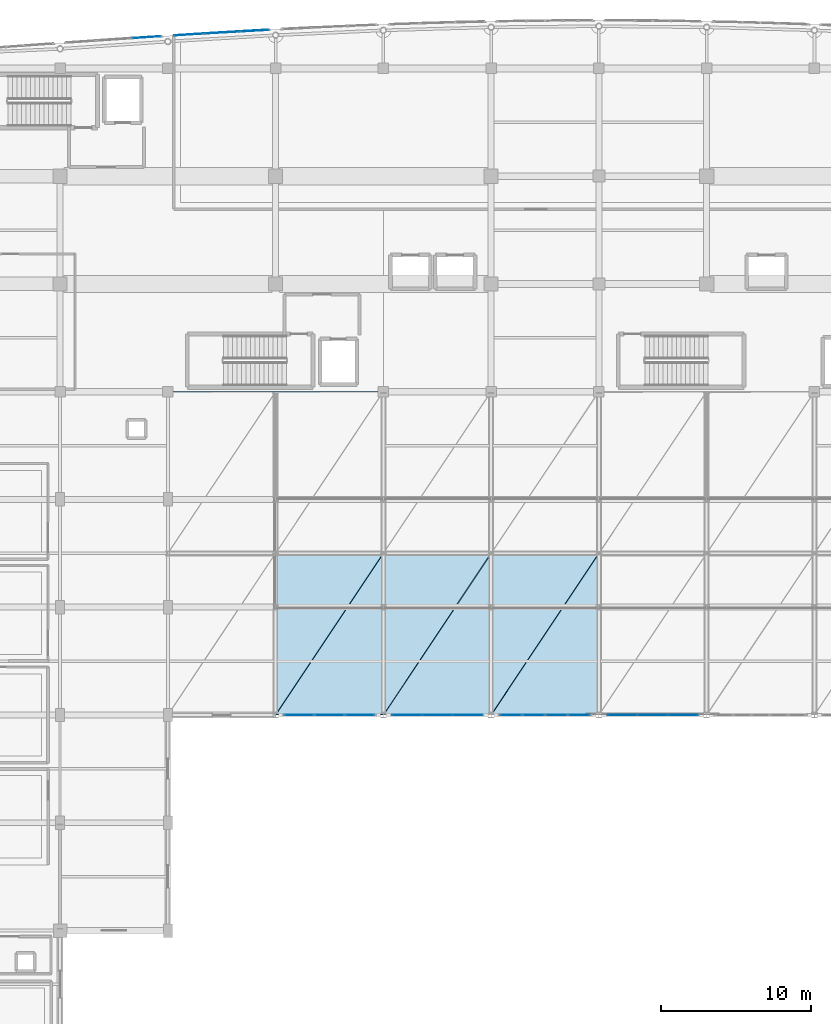
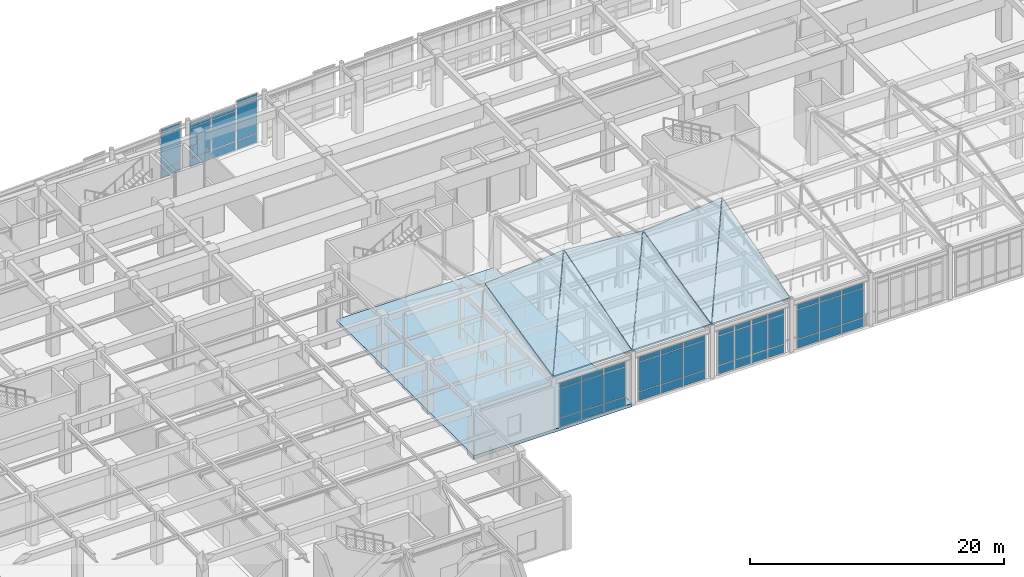
# One storey, part 73 of 117: 51 plates, 7 slabs, 8 elements without a shape of their own.
"""IFC4 building model written with IfcOpenShell, lengths in metres."""

from ifc_helpers import new_model, si_unit, direction, frame, origin, origin_2d, place, context, subcontext, project, spatial, polyline, rectangle, outline, extrude, material, layer, layer_set, type_object, element, aggregate, save


model = new_model("IFC4")

# Units and contexts
model_context = context("Model", 3, precision=1e-05, world=origin(), true_north=direction((0.0, 1.0)))
body_context = subcontext(model_context, "Body", "Model", "MODEL_VIEW")
ifc_project = project(units=[si_unit("LENGTHUNIT", "METRE"), si_unit("AREAUNIT", "SQUARE_METRE"), si_unit("VOLUMEUNIT", "CUBIC_METRE"), si_unit("PLANEANGLEUNIT", "RADIAN"), si_unit("MASSUNIT", "GRAM", prefix="KILO")], contexts=[model_context])

# Site, building, storey
site_placement = place(None, origin())
site = spatial("IfcSite", under=ifc_project, at=site_placement, CompositionType="ELEMENT")
building_placement = place(site_placement, origin())
building = spatial("IfcBuilding", under=site, at=building_placement, Name="Carrowvane Square Congress Hotel", CompositionType="ELEMENT")
storey_placement = place(building_placement, frame((0.0, 0.0, 5.39990234375)))
storey = spatial("IfcBuildingStorey", under=building, at=storey_placement, Name="L01", CompositionType="ELEMENT", Elevation=5.39990234375)

# Curtain wall, plates
ifc_material_1 = material(Name="Anodised aluminium", Category="aluminium")
ifc_layer_1 = layer(ifc_material_1, 0.197998046875)
ifc_layer_set_1 = layer_set([ifc_layer_1], Name="Anodised aluminium")
curtain_wall_type_1 = type_object("IfcCurtainWallType", Name="CW-SYS-4", PredefinedType="NOTDEFINED", material=ifc_layer_set_1)
curtain_wall_1_placement = place(storey_placement, origin())
curtain_wall_1 = element("IfcCurtainWall", 1, at=curtain_wall_1_placement, inside=storey, type_object=curtain_wall_type_1, Name="L01 unitised curtain wall 75", PredefinedType="NOTDEFINED")
ifc_material_2 = material(Name="Double-glazed low-E glass", Category="glass")
ifc_layer_2 = layer(ifc_material_2, 0.028076171875)
ifc_layer_set_2 = layer_set([ifc_layer_2], Name="Double-glazed low-E glass")
plate_type_1 = type_object("IfcPlateType", Name="CW-PAN-1", PredefinedType="CURTAIN_PANEL", material=ifc_layer_set_2)
plate_1_placement = place(storey_placement, frame((67.795654296875, 115.482177734375, 0.070068359375), z_axis=(0.0, 0.0, 1.0), x_axis=(0.997858327155, 0.065412223074, 0.0)))
plate_1 = element("IfcPlate", 2, at=plate_1_placement, type_object=plate_type_1, Name="CW-4 panel 1.1", PredefinedType="CURTAIN_PANEL", context=body_context, shape_type="SweptSolid", body=[
    extrude(rectangle(XDim=1.855712890625, YDim=0.028076171875, at=origin_2d()), origin(), (0.0, 0.0, 1.0), 0.794921875),
])
plate_2_placement = place(storey_placement, frame((67.795654296875, 115.482177734375, 0.93505859375), z_axis=(0.0, 0.0, 1.0), x_axis=(0.997858327155, 0.065412223074, 0.0)))
plate_2 = element("IfcPlate", 3, at=plate_2_placement, type_object=plate_type_1, Name="CW-4 panel 1.2", PredefinedType="CURTAIN_PANEL", context=body_context, shape_type="SweptSolid", body=[
    extrude(rectangle(XDim=1.855712890625, YDim=0.028076171875, at=origin_2d()), origin(), (0.0, 0.0, 1.0), 3.260009765625),
])
plate_3_placement = place(storey_placement, frame((67.795654296875, 115.482177734375, 4.26513671875), z_axis=(0.0, 0.0, 1.0), x_axis=(0.997858327155, 0.065412223074, 0.0)))
plate_3 = element("IfcPlate", 4, at=plate_3_placement, type_object=plate_type_1, Name="CW-4 panel 1.3", PredefinedType="CURTAIN_PANEL", context=body_context, shape_type="SweptSolid", body=[
    extrude(rectangle(XDim=1.855712890625, YDim=0.028076171875, at=origin_2d()), origin(), (0.0, 0.0, 1.0), 0.445068359375),
])
aggregate(curtain_wall_1, [plate_1, plate_2, plate_3])

ifc_material_3 = material(Name="Anodised aluminium", Category="aluminium")
ifc_layer_3 = layer(ifc_material_3, 0.162109375)
ifc_layer_set_3 = layer_set([ifc_layer_3], Name="Anodised aluminium")
curtain_wall_type_2 = type_object("IfcCurtainWallType", Name="CW-SYS-1", PredefinedType="NOTDEFINED", material=ifc_layer_set_3)
curtain_wall_2_placement = place(storey_placement, origin())
curtain_wall_2 = element("IfcCurtainWall", 5, at=curtain_wall_2_placement, inside=storey, type_object=curtain_wall_type_2, Name="L01 unitised curtain wall 120", PredefinedType="NOTDEFINED")
plate_4_placement = place(storey_placement, frame((103.625, 70.199951171875, 0.06005859375), z_axis=(0.0, 0.0, 1.0), x_axis=(-1.0, 0.0, 0.0)))
plate_4 = element("IfcPlate", 6, at=plate_4_placement, type_object=plate_type_1, Name="CW-1 panel 1.1", PredefinedType="CURTAIN_PANEL", context=body_context, shape_type="SweptSolid", body=[
    extrude(rectangle(XDim=1.949951171875, YDim=0.028076171875, at=origin_2d()), origin(), (0.0, 0.0, 1.0), 0.81005859375),
])
plate_5_placement = place(storey_placement, frame((103.625, 70.199951171875, 0.93017578125), z_axis=(0.0, 0.0, 1.0), x_axis=(-1.0, 0.0, 0.0)))
plate_5 = element("IfcPlate", 7, at=plate_5_placement, type_object=plate_type_1, Name="CW-1 panel 1.2", PredefinedType="CURTAIN_PANEL", context=body_context, shape_type="SweptSolid", body=[
    extrude(rectangle(XDim=1.949951171875, YDim=0.028076171875, at=origin_2d()), origin(), (0.0, 0.0, 1.0), 2.794921875),
])
plate_6_placement = place(storey_placement, frame((103.625, 70.199951171875, 3.78515625), z_axis=(0.0, 0.0, 1.0), x_axis=(-1.0, 0.0, 0.0)))
plate_6 = element("IfcPlate", 8, at=plate_6_placement, type_object=plate_type_1, Name="CW-1 panel 1.3", PredefinedType="CURTAIN_PANEL", context=body_context, shape_type="SweptSolid", body=[
    extrude(rectangle(XDim=1.949951171875, YDim=0.028076171875, at=origin_2d()), origin(), (0.0, 0.0, 1.0), 0.4599609375),
])
plate_7_placement = place(storey_placement, frame((101.60009765625, 70.199951171875, 0.06005859375), z_axis=(0.0, 0.0, 1.0), x_axis=(-1.0, 0.0, 0.0)))
plate_7 = element("IfcPlate", 9, at=plate_7_placement, type_object=plate_type_1, Name="CW-1 panel 2.1", PredefinedType="CURTAIN_PANEL", context=body_context, shape_type="SweptSolid", body=[
    extrude(rectangle(XDim=1.97998046875, YDim=0.028076171875, at=origin_2d()), origin(), (0.0, 0.0, 1.0), 0.81005859375),
])
plate_8_placement = place(storey_placement, frame((101.60009765625, 70.199951171875, 0.93017578125), z_axis=(0.0, 0.0, 1.0), x_axis=(-1.0, 0.0, 0.0)))
plate_8 = element("IfcPlate", 10, at=plate_8_placement, type_object=plate_type_1, Name="CW-1 panel 2.2", PredefinedType="CURTAIN_PANEL", context=body_context, shape_type="SweptSolid", body=[
    extrude(rectangle(XDim=1.97998046875, YDim=0.028076171875, at=origin_2d()), origin(), (0.0, 0.0, 1.0), 2.794921875),
])
plate_9_placement = place(storey_placement, frame((101.60009765625, 70.199951171875, 3.78515625), z_axis=(0.0, 0.0, 1.0), x_axis=(-1.0, 0.0, 0.0)))
plate_9 = element("IfcPlate", 11, at=plate_9_placement, type_object=plate_type_1, Name="CW-1 panel 2.3", PredefinedType="CURTAIN_PANEL", context=body_context, shape_type="SweptSolid", body=[
    extrude(rectangle(XDim=1.97998046875, YDim=0.028076171875, at=origin_2d()), origin(), (0.0, 0.0, 1.0), 0.4599609375),
])
plate_10_placement = place(storey_placement, frame((99.574951171875, 70.199951171875, 0.06005859375), z_axis=(0.0, 0.0, 1.0), x_axis=(-1.0, 0.0, 0.0)))
plate_10 = element("IfcPlate", 12, at=plate_10_placement, type_object=plate_type_1, Name="CW-1 panel 3.1", PredefinedType="CURTAIN_PANEL", context=body_context, shape_type="SweptSolid", body=[
    extrude(rectangle(XDim=1.949951171875, YDim=0.028076171875, at=origin_2d()), origin(), (0.0, 0.0, 1.0), 0.81005859375),
])
plate_11_placement = place(storey_placement, frame((99.574951171875, 70.199951171875, 0.93017578125), z_axis=(0.0, 0.0, 1.0), x_axis=(-1.0, 0.0, 0.0)))
plate_11 = element("IfcPlate", 13, at=plate_11_placement, type_object=plate_type_1, Name="CW-1 panel 3.2", PredefinedType="CURTAIN_PANEL", context=body_context, shape_type="SweptSolid", body=[
    extrude(rectangle(XDim=1.949951171875, YDim=0.028076171875, at=origin_2d()), origin(), (0.0, 0.0, 1.0), 2.794921875),
])
plate_12_placement = place(storey_placement, frame((99.574951171875, 70.199951171875, 3.78515625), z_axis=(0.0, 0.0, 1.0), x_axis=(-1.0, 0.0, 0.0)))
plate_12 = element("IfcPlate", 14, at=plate_12_placement, type_object=plate_type_1, Name="CW-1 panel 3.3", PredefinedType="CURTAIN_PANEL", context=body_context, shape_type="SweptSolid", body=[
    extrude(rectangle(XDim=1.949951171875, YDim=0.028076171875, at=origin_2d()), origin(), (0.0, 0.0, 1.0), 0.4599609375),
])
aggregate(curtain_wall_2, [plate_4, plate_5, plate_6, plate_7, plate_8, plate_9, plate_10, plate_11, plate_12])

ifc_material_4 = material(Name="Anodised aluminium", Category="aluminium")
ifc_layer_4 = layer(ifc_material_4, 0.2099609375)
ifc_layer_set_4 = layer_set([ifc_layer_4], Name="Anodised aluminium")
curtain_wall_type_3 = type_object("IfcCurtainWallType", Name="CW-SYS-5", PredefinedType="NOTDEFINED", material=ifc_layer_set_4)
curtain_wall_3_placement = place(storey_placement, origin())
curtain_wall_3 = element("IfcCurtainWall", 15, at=curtain_wall_3_placement, inside=storey, type_object=curtain_wall_type_3, Name="L01 unitised curtain wall 76", PredefinedType="NOTDEFINED")
ifc_material_5 = material(Name="Double-glazed low-E glass", Category="glass")
ifc_layer_5 = layer(ifc_material_5, 0.031982421875)
ifc_layer_set_5 = layer_set([ifc_layer_5], Name="Double-glazed low-E glass")
plate_type_2 = type_object("IfcPlateType", Name="CW-PAN-2", PredefinedType="CURTAIN_PANEL", material=ifc_layer_set_5)
plate_13_placement = place(storey_placement, frame((70.580078125, 115.66064453125, 0.06005859375), z_axis=(0.0, 0.0, 1.0), x_axis=(0.998051378998, 0.062397474952, 0.0)))
plate_13 = element("IfcPlate", 16, at=plate_13_placement, type_object=plate_type_2, Name="CW-5 panel 1.1", PredefinedType="CURTAIN_PANEL", context=body_context, shape_type="SweptSolid", body=[
    extrude(rectangle(XDim=1.924072265625, YDim=0.031982421875, at=origin_2d()), origin(), (0.0, 0.0, 1.0), 0.81005859375),
])
plate_14_placement = place(storey_placement, frame((70.580078125, 115.66064453125, 0.929931640625), z_axis=(0.0, 0.0, 1.0), x_axis=(0.998051378998, 0.062397474952, 0.0)))
plate_14 = element("IfcPlate", 17, at=plate_14_placement, type_object=plate_type_2, Name="CW-5 panel 1.2", PredefinedType="CURTAIN_PANEL", context=body_context, shape_type="SweptSolid", body=[
    extrude(rectangle(XDim=1.924072265625, YDim=0.031982421875, at=origin_2d()), origin(), (0.0, 0.0, 1.0), 2.845703125),
])
plate_15_placement = place(storey_placement, frame((70.580078125, 115.66064453125, 3.835693359375), z_axis=(0.0, 0.0, 1.0), x_axis=(0.998051378998, 0.062397474952, 0.0)))
plate_15 = element("IfcPlate", 18, at=plate_15_placement, type_object=plate_type_2, Name="CW-5 panel 1.3", PredefinedType="CURTAIN_PANEL", context=body_context, shape_type="SweptSolid", body=[
    extrude(rectangle(XDim=1.924072265625, YDim=0.031982421875, at=origin_2d()), origin(), (0.0, 0.0, 1.0), 0.4599609375),
])
aggregate(curtain_wall_3, [plate_13, plate_14, plate_15])

ifc_material_6 = material(Name="Anodised aluminium", Category="aluminium")
ifc_layer_6 = layer(ifc_material_6, 0.174072265625)
ifc_layer_set_6 = layer_set([ifc_layer_6], Name="Anodised aluminium")
curtain_wall_type_4 = type_object("IfcCurtainWallType", Name="CW-SYS-2", PredefinedType="NOTDEFINED", material=ifc_layer_set_6)
curtain_wall_4_placement = place(storey_placement, origin())
curtain_wall_4 = element("IfcCurtainWall", 19, at=curtain_wall_4_placement, inside=storey, type_object=curtain_wall_type_4, Name="L01 unitised curtain wall 121", PredefinedType="NOTDEFINED")
plate_16_placement = place(storey_placement, frame((96.677490234375, 70.199951171875, 0.070068359375), z_axis=(0.0, 0.0, 1.0), x_axis=(-1.0, 0.0, 0.0)))
plate_16 = element("IfcPlate", 20, at=plate_16_placement, type_object=plate_type_2, Name="CW-2 panel 1.1", PredefinedType="CURTAIN_PANEL", context=body_context, shape_type="SweptSolid", body=[
    extrude(rectangle(XDim=1.425048828125, YDim=0.031982421875, at=origin_2d()), origin(), (0.0, 0.0, 1.0), 0.794921875),
])
plate_17_placement = place(storey_placement, frame((96.677490234375, 70.199951171875, 0.93505859375), z_axis=(0.0, 0.0, 1.0), x_axis=(-1.0, 0.0, 0.0)))
plate_17 = element("IfcPlate", 21, at=plate_17_placement, type_object=plate_type_2, Name="CW-2 panel 1.2", PredefinedType="CURTAIN_PANEL", context=body_context, shape_type="SweptSolid", body=[
    extrude(rectangle(XDim=1.425048828125, YDim=0.031982421875, at=origin_2d()), origin(), (0.0, 0.0, 1.0), 2.784912109375),
])
plate_18_placement = place(storey_placement, frame((96.677490234375, 70.199951171875, 3.7900390625), z_axis=(0.0, 0.0, 1.0), x_axis=(-1.0, 0.0, 0.0)))
plate_18 = element("IfcPlate", 22, at=plate_18_placement, type_object=plate_type_2, Name="CW-2 panel 1.3", PredefinedType="CURTAIN_PANEL", context=body_context, shape_type="SweptSolid", body=[
    extrude(rectangle(XDim=1.425048828125, YDim=0.031982421875, at=origin_2d()), origin(), (0.0, 0.0, 1.0), 0.445068359375),
])
plate_19_placement = place(storey_placement, frame((95.1650390625, 70.199951171875, 0.070068359375), z_axis=(0.0, 0.0, 1.0), x_axis=(-1.0, 0.0, 0.0)))
plate_19 = element("IfcPlate", 23, at=plate_19_placement, type_object=plate_type_2, Name="CW-2 panel 2.1", PredefinedType="CURTAIN_PANEL", context=body_context, shape_type="SweptSolid", body=[
    extrude(rectangle(XDim=1.4599609375, YDim=0.031982421875, at=origin_2d()), origin(), (0.0, 0.0, 1.0), 0.794921875),
])
plate_20_placement = place(storey_placement, frame((95.1650390625, 70.199951171875, 0.93505859375), z_axis=(0.0, 0.0, 1.0), x_axis=(-1.0, 0.0, 0.0)))
plate_20 = element("IfcPlate", 24, at=plate_20_placement, type_object=plate_type_2, Name="CW-2 panel 2.2", PredefinedType="CURTAIN_PANEL", context=body_context, shape_type="SweptSolid", body=[
    extrude(rectangle(XDim=1.4599609375, YDim=0.031982421875, at=origin_2d()), origin(), (0.0, 0.0, 1.0), 2.784912109375),
])
plate_21_placement = place(storey_placement, frame((95.1650390625, 70.199951171875, 3.7900390625), z_axis=(0.0, 0.0, 1.0), x_axis=(-1.0, 0.0, 0.0)))
plate_21 = element("IfcPlate", 25, at=plate_21_placement, type_object=plate_type_2, Name="CW-2 panel 2.3", PredefinedType="CURTAIN_PANEL", context=body_context, shape_type="SweptSolid", body=[
    extrude(rectangle(XDim=1.4599609375, YDim=0.031982421875, at=origin_2d()), origin(), (0.0, 0.0, 1.0), 0.445068359375),
])
plate_22_placement = place(storey_placement, frame((93.635009765625, 70.199951171875, 0.070068359375), z_axis=(0.0, 0.0, 1.0), x_axis=(-1.0, 0.0, 0.0)))
plate_22 = element("IfcPlate", 26, at=plate_22_placement, type_object=plate_type_2, Name="CW-2 panel 3.1", PredefinedType="CURTAIN_PANEL", context=body_context, shape_type="SweptSolid", body=[
    extrude(rectangle(XDim=1.4599609375, YDim=0.031982421875, at=origin_2d()), origin(), (0.0, 0.0, 1.0), 0.794921875),
])
plate_23_placement = place(storey_placement, frame((93.635009765625, 70.199951171875, 0.93505859375), z_axis=(0.0, 0.0, 1.0), x_axis=(-1.0, 0.0, 0.0)))
plate_23 = element("IfcPlate", 27, at=plate_23_placement, type_object=plate_type_2, Name="CW-2 panel 3.2", PredefinedType="CURTAIN_PANEL", context=body_context, shape_type="SweptSolid", body=[
    extrude(rectangle(XDim=1.4599609375, YDim=0.031982421875, at=origin_2d()), origin(), (0.0, 0.0, 1.0), 2.784912109375),
])
plate_24_placement = place(storey_placement, frame((93.635009765625, 70.199951171875, 3.7900390625), z_axis=(0.0, 0.0, 1.0), x_axis=(-1.0, 0.0, 0.0)))
plate_24 = element("IfcPlate", 28, at=plate_24_placement, type_object=plate_type_2, Name="CW-2 panel 3.3", PredefinedType="CURTAIN_PANEL", context=body_context, shape_type="SweptSolid", body=[
    extrude(rectangle(XDim=1.4599609375, YDim=0.031982421875, at=origin_2d()), origin(), (0.0, 0.0, 1.0), 0.445068359375),
])
plate_25_placement = place(storey_placement, frame((92.12255859375, 70.199951171875, 0.070068359375), z_axis=(0.0, 0.0, 1.0), x_axis=(-1.0, 0.0, 0.0)))
plate_25 = element("IfcPlate", 29, at=plate_25_placement, type_object=plate_type_2, Name="CW-2 panel 4.1", PredefinedType="CURTAIN_PANEL", context=body_context, shape_type="SweptSolid", body=[
    extrude(rectangle(XDim=1.425048828125, YDim=0.031982421875, at=origin_2d()), origin(), (0.0, 0.0, 1.0), 0.794921875),
])
plate_26_placement = place(storey_placement, frame((92.12255859375, 70.199951171875, 0.93505859375), z_axis=(0.0, 0.0, 1.0), x_axis=(-1.0, 0.0, 0.0)))
plate_26 = element("IfcPlate", 30, at=plate_26_placement, type_object=plate_type_2, Name="CW-2 panel 4.2", PredefinedType="CURTAIN_PANEL", context=body_context, shape_type="SweptSolid", body=[
    extrude(rectangle(XDim=1.425048828125, YDim=0.031982421875, at=origin_2d()), origin(), (0.0, 0.0, 1.0), 2.784912109375),
])
plate_27_placement = place(storey_placement, frame((92.12255859375, 70.199951171875, 3.7900390625), z_axis=(0.0, 0.0, 1.0), x_axis=(-1.0, 0.0, 0.0)))
plate_27 = element("IfcPlate", 31, at=plate_27_placement, type_object=plate_type_2, Name="CW-2 panel 4.3", PredefinedType="CURTAIN_PANEL", context=body_context, shape_type="SweptSolid", body=[
    extrude(rectangle(XDim=1.425048828125, YDim=0.031982421875, at=origin_2d()), origin(), (0.0, 0.0, 1.0), 0.445068359375),
])
aggregate(curtain_wall_4, [plate_16, plate_17, plate_18, plate_19, plate_20, plate_21, plate_22, plate_23, plate_24, plate_25, plate_26, plate_27])

ifc_material_7 = material(Name="Anodised aluminium", Category="aluminium")
ifc_layer_7 = layer(ifc_material_7, 0.221923828125)
ifc_layer_set_7 = layer_set([ifc_layer_7], Name="Anodised aluminium")
curtain_wall_type_5 = type_object("IfcCurtainWallType", Name="CW-SYS-6", PredefinedType="NOTDEFINED", material=ifc_layer_set_7)
curtain_wall_5_placement = place(storey_placement, origin())
curtain_wall_5 = element("IfcCurtainWall", 32, at=curtain_wall_5_placement, inside=storey, type_object=curtain_wall_type_5, Name="L01 unitised curtain wall 77", PredefinedType="NOTDEFINED")
ifc_material_8 = material(Name="Double-glazed low-E glass", Category="glass")
ifc_layer_8 = layer(ifc_material_8, 0.035888671875)
ifc_layer_set_8 = layer_set([ifc_layer_8], Name="Double-glazed low-E glass")
plate_type_3 = type_object("IfcPlateType", Name="CW-PAN-3", PredefinedType="CURTAIN_PANEL", material=ifc_layer_set_8)
plate_28_placement = place(storey_placement, frame((72.800048828125, 115.795166015625, 0.070068359375), z_axis=(0.0, 0.0, 1.0), x_axis=(0.998266763162, 0.058851249486, 0.0)))
plate_28 = element("IfcPlate", 33, at=plate_28_placement, type_object=plate_type_3, Name="CW-6 panel 1.1", PredefinedType="CURTAIN_PANEL", context=body_context, shape_type="SweptSolid", body=[
    extrude(rectangle(XDim=2.26416015625, YDim=0.035888671875, at=origin_2d()), origin(), (0.0, 0.0, 1.0), 0.794921875),
])
plate_29_placement = place(storey_placement, frame((72.800048828125, 115.795166015625, 0.93505859375), z_axis=(0.0, 0.0, 1.0), x_axis=(0.998266763162, 0.058851249486, 0.0)))
plate_29 = element("IfcPlate", 34, at=plate_29_placement, type_object=plate_type_3, Name="CW-6 panel 1.2", PredefinedType="CURTAIN_PANEL", context=body_context, shape_type="SweptSolid", body=[
    extrude(rectangle(XDim=2.26416015625, YDim=0.035888671875, at=origin_2d()), origin(), (0.0, 0.0, 1.0), 2.835693359375),
])
plate_30_placement = place(storey_placement, frame((72.800048828125, 115.795166015625, 3.8408203125), z_axis=(0.0, 0.0, 1.0), x_axis=(0.998266763162, 0.058851249486, 0.0)))
plate_30 = element("IfcPlate", 35, at=plate_30_placement, type_object=plate_type_3, Name="CW-6 panel 1.3", PredefinedType="CURTAIN_PANEL", context=body_context, shape_type="SweptSolid", body=[
    extrude(rectangle(XDim=2.26416015625, YDim=0.035888671875, at=origin_2d()), origin(), (0.0, 0.0, 1.0), 0.445068359375),
])
aggregate(curtain_wall_5, [plate_28, plate_29, plate_30])

ifc_material_9 = material(Name="Anodised aluminium", Category="aluminium")
ifc_layer_9 = layer(ifc_material_9, 0.18603515625)
ifc_layer_set_9 = layer_set([ifc_layer_9], Name="Anodised aluminium")
curtain_wall_type_6 = type_object("IfcCurtainWallType", Name="CW-SYS-3", PredefinedType="NOTDEFINED", material=ifc_layer_set_9)
curtain_wall_6_placement = place(storey_placement, origin())
curtain_wall_6 = element("IfcCurtainWall", 36, at=curtain_wall_6_placement, inside=storey, type_object=curtain_wall_type_6, Name="L01 unitised curtain wall 122", PredefinedType="NOTDEFINED")
plate_31_placement = place(storey_placement, frame((89.22509765625, 70.199951171875, 0.06005859375), z_axis=(0.0, 0.0, 1.0), x_axis=(-1.0, 0.0, 0.0)))
plate_31 = element("IfcPlate", 37, at=plate_31_placement, type_object=plate_type_3, Name="CW-3 panel 1.1", PredefinedType="CURTAIN_PANEL", context=body_context, shape_type="SweptSolid", body=[
    extrude(rectangle(XDim=1.949951171875, YDim=0.035888671875, at=origin_2d()), origin(), (0.0, 0.0, 1.0), 0.81005859375),
])
plate_32_placement = place(storey_placement, frame((89.22509765625, 70.199951171875, 0.93017578125), z_axis=(0.0, 0.0, 1.0), x_axis=(-1.0, 0.0, 0.0)))
plate_32 = element("IfcPlate", 38, at=plate_32_placement, type_object=plate_type_3, Name="CW-3 panel 1.2", PredefinedType="CURTAIN_PANEL", context=body_context, shape_type="SweptSolid", body=[
    extrude(rectangle(XDim=1.949951171875, YDim=0.035888671875, at=origin_2d()), origin(), (0.0, 0.0, 1.0), 2.794921875),
])
plate_33_placement = place(storey_placement, frame((89.22509765625, 70.199951171875, 3.78515625), z_axis=(0.0, 0.0, 1.0), x_axis=(-1.0, 0.0, 0.0)))
plate_33 = element("IfcPlate", 39, at=plate_33_placement, type_object=plate_type_3, Name="CW-3 panel 1.3", PredefinedType="CURTAIN_PANEL", context=body_context, shape_type="SweptSolid", body=[
    extrude(rectangle(XDim=1.949951171875, YDim=0.035888671875, at=origin_2d()), origin(), (0.0, 0.0, 1.0), 0.4599609375),
])
plate_34_placement = place(storey_placement, frame((87.199951171875, 70.199951171875, 0.06005859375), z_axis=(0.0, 0.0, 1.0), x_axis=(-1.0, 0.0, 0.0)))
plate_34 = element("IfcPlate", 40, at=plate_34_placement, type_object=plate_type_3, Name="CW-3 panel 2.1", PredefinedType="CURTAIN_PANEL", context=body_context, shape_type="SweptSolid", body=[
    extrude(rectangle(XDim=1.97998046875, YDim=0.035888671875, at=origin_2d()), origin(), (0.0, 0.0, 1.0), 0.81005859375),
])
plate_35_placement = place(storey_placement, frame((87.199951171875, 70.199951171875, 0.93017578125), z_axis=(0.0, 0.0, 1.0), x_axis=(-1.0, 0.0, 0.0)))
plate_35 = element("IfcPlate", 41, at=plate_35_placement, type_object=plate_type_3, Name="CW-3 panel 2.2", PredefinedType="CURTAIN_PANEL", context=body_context, shape_type="SweptSolid", body=[
    extrude(rectangle(XDim=1.97998046875, YDim=0.035888671875, at=origin_2d()), origin(), (0.0, 0.0, 1.0), 2.794921875),
])
plate_36_placement = place(storey_placement, frame((87.199951171875, 70.199951171875, 3.78515625), z_axis=(0.0, 0.0, 1.0), x_axis=(-1.0, 0.0, 0.0)))
plate_36 = element("IfcPlate", 42, at=plate_36_placement, type_object=plate_type_3, Name="CW-3 panel 2.3", PredefinedType="CURTAIN_PANEL", context=body_context, shape_type="SweptSolid", body=[
    extrude(rectangle(XDim=1.97998046875, YDim=0.035888671875, at=origin_2d()), origin(), (0.0, 0.0, 1.0), 0.4599609375),
])
plate_37_placement = place(storey_placement, frame((85.175048828125, 70.199951171875, 0.06005859375), z_axis=(0.0, 0.0, 1.0), x_axis=(-1.0, 0.0, 0.0)))
plate_37 = element("IfcPlate", 43, at=plate_37_placement, type_object=plate_type_3, Name="CW-3 panel 3.1", PredefinedType="CURTAIN_PANEL", context=body_context, shape_type="SweptSolid", body=[
    extrude(rectangle(XDim=1.949951171875, YDim=0.035888671875, at=origin_2d()), origin(), (0.0, 0.0, 1.0), 0.81005859375),
])
plate_38_placement = place(storey_placement, frame((85.175048828125, 70.199951171875, 0.93017578125), z_axis=(0.0, 0.0, 1.0), x_axis=(-1.0, 0.0, 0.0)))
plate_38 = element("IfcPlate", 44, at=plate_38_placement, type_object=plate_type_3, Name="CW-3 panel 3.2", PredefinedType="CURTAIN_PANEL", context=body_context, shape_type="SweptSolid", body=[
    extrude(rectangle(XDim=1.949951171875, YDim=0.035888671875, at=origin_2d()), origin(), (0.0, 0.0, 1.0), 2.794921875),
])
plate_39_placement = place(storey_placement, frame((85.175048828125, 70.199951171875, 3.78515625), z_axis=(0.0, 0.0, 1.0), x_axis=(-1.0, 0.0, 0.0)))
plate_39 = element("IfcPlate", 45, at=plate_39_placement, type_object=plate_type_3, Name="CW-3 panel 3.3", PredefinedType="CURTAIN_PANEL", context=body_context, shape_type="SweptSolid", body=[
    extrude(rectangle(XDim=1.949951171875, YDim=0.035888671875, at=origin_2d()), origin(), (0.0, 0.0, 1.0), 0.4599609375),
])
aggregate(curtain_wall_6, [plate_31, plate_32, plate_33, plate_34, plate_35, plate_36, plate_37, plate_38, plate_39])

ifc_material_10 = material(Name="Anodised aluminium", Category="aluminium")
ifc_layer_10 = layer(ifc_material_10, 0.23388671875)
ifc_layer_set_10 = layer_set([ifc_layer_10], Name="Anodised aluminium")
curtain_wall_type_7 = type_object("IfcCurtainWallType", Name="CW-SYS-7", PredefinedType="NOTDEFINED", material=ifc_layer_set_10)
curtain_wall_7_placement = place(storey_placement, origin())
curtain_wall_7 = element("IfcCurtainWall", 46, at=curtain_wall_7_placement, inside=storey, type_object=curtain_wall_type_7, Name="L01 unitised curtain wall 78", PredefinedType="NOTDEFINED")
ifc_material_11 = material(Name="Double-glazed low-E glass", Category="glass")
ifc_layer_11 = layer(ifc_material_11, 0.0419921875)
ifc_layer_set_11 = layer_set([ifc_layer_11], Name="Double-glazed low-E glass")
plate_type_4 = type_object("IfcPlateType", Name="CW-PAN-4", PredefinedType="CURTAIN_PANEL", material=ifc_layer_set_11)
plate_40_placement = place(storey_placement, frame((74.997802734375, 115.920654296875, 0.06005859375), z_axis=(0.0, 0.0, 1.0), x_axis=(0.998496473856, 0.054815980317, 0.0)))
plate_40 = element("IfcPlate", 47, at=plate_40_placement, type_object=plate_type_4, Name="CW-7 panel 1.1", PredefinedType="CURTAIN_PANEL", context=body_context, shape_type="SweptSolid", body=[
    extrude(rectangle(XDim=1.87841796875, YDim=0.0419921875, at=origin_2d()), origin(), (0.0, 0.0, 1.0), 0.81005859375),
])
plate_41_placement = place(storey_placement, frame((74.997802734375, 115.920654296875, 0.93017578125), z_axis=(0.0, 0.0, 1.0), x_axis=(0.998496473856, 0.054815980317, 0.0)))
plate_41 = element("IfcPlate", 48, at=plate_41_placement, type_object=plate_type_4, Name="CW-7 panel 1.2", PredefinedType="CURTAIN_PANEL", context=body_context, shape_type="SweptSolid", body=[
    extrude(rectangle(XDim=1.87841796875, YDim=0.0419921875, at=origin_2d()), origin(), (0.0, 0.0, 1.0), 3.27001953125),
])
plate_42_placement = place(storey_placement, frame((74.997802734375, 115.920654296875, 4.260009765625), z_axis=(0.0, 0.0, 1.0), x_axis=(0.998496473856, 0.054815980317, 0.0)))
plate_42 = element("IfcPlate", 49, at=plate_42_placement, type_object=plate_type_4, Name="CW-7 panel 1.3", PredefinedType="CURTAIN_PANEL", context=body_context, shape_type="SweptSolid", body=[
    extrude(rectangle(XDim=1.87841796875, YDim=0.0419921875, at=origin_2d()), origin(), (0.0, 0.0, 1.0), 0.4599609375),
])
aggregate(curtain_wall_7, [plate_40, plate_41, plate_42])

curtain_wall_8_placement = place(storey_placement, origin())
curtain_wall_8 = element("IfcCurtainWall", 50, at=curtain_wall_8_placement, inside=storey, type_object=curtain_wall_type_1, Name="L01 unitised curtain wall 123", PredefinedType="NOTDEFINED")
plate_43_placement = place(storey_placement, frame((82.0224609375, 70.199951171875, 0.070068359375), z_axis=(0.0, 0.0, 1.0), x_axis=(-1.0, 0.0, 0.0)))
plate_43 = element("IfcPlate", 51, at=plate_43_placement, type_object=plate_type_4, Name="CW-4 panel 1.1", PredefinedType="CURTAIN_PANEL", context=body_context, shape_type="SweptSolid", body=[
    extrude(rectangle(XDim=1.93505859375, YDim=0.0419921875, at=origin_2d()), origin(), (0.0, 0.0, 1.0), 0.794921875),
])
plate_44_placement = place(storey_placement, frame((82.0224609375, 70.199951171875, 0.93505859375), z_axis=(0.0, 0.0, 1.0), x_axis=(-1.0, 0.0, 0.0)))
plate_44 = element("IfcPlate", 52, at=plate_44_placement, type_object=plate_type_4, Name="CW-4 panel 1.2", PredefinedType="CURTAIN_PANEL", context=body_context, shape_type="SweptSolid", body=[
    extrude(rectangle(XDim=1.93505859375, YDim=0.0419921875, at=origin_2d()), origin(), (0.0, 0.0, 1.0), 2.784912109375),
])
plate_45_placement = place(storey_placement, frame((82.0224609375, 70.199951171875, 3.7900390625), z_axis=(0.0, 0.0, 1.0), x_axis=(-1.0, 0.0, 0.0)))
plate_45 = element("IfcPlate", 53, at=plate_45_placement, type_object=plate_type_4, Name="CW-4 panel 1.3", PredefinedType="CURTAIN_PANEL", context=body_context, shape_type="SweptSolid", body=[
    extrude(rectangle(XDim=1.93505859375, YDim=0.0419921875, at=origin_2d()), origin(), (0.0, 0.0, 1.0), 0.445068359375),
])
plate_46_placement = place(storey_placement, frame((80.0, 70.199951171875, 0.070068359375), z_axis=(0.0, 0.0, 1.0), x_axis=(-1.0, 0.0, 0.0)))
plate_46 = element("IfcPlate", 54, at=plate_46_placement, type_object=plate_type_4, Name="CW-4 panel 2.1", PredefinedType="CURTAIN_PANEL", context=body_context, shape_type="SweptSolid", body=[
    extrude(rectangle(XDim=1.969970703125, YDim=0.0419921875, at=origin_2d()), origin(), (0.0, 0.0, 1.0), 0.794921875),
])
plate_47_placement = place(storey_placement, frame((80.0, 70.199951171875, 0.93505859375), z_axis=(0.0, 0.0, 1.0), x_axis=(-1.0, 0.0, 0.0)))
plate_47 = element("IfcPlate", 55, at=plate_47_placement, type_object=plate_type_4, Name="CW-4 panel 2.2", PredefinedType="CURTAIN_PANEL", context=body_context, shape_type="SweptSolid", body=[
    extrude(rectangle(XDim=1.969970703125, YDim=0.0419921875, at=origin_2d()), origin(), (0.0, 0.0, 1.0), 2.784912109375),
])
plate_48_placement = place(storey_placement, frame((80.0, 70.199951171875, 3.7900390625), z_axis=(0.0, 0.0, 1.0), x_axis=(-1.0, 0.0, 0.0)))
plate_48 = element("IfcPlate", 56, at=plate_48_placement, type_object=plate_type_4, Name="CW-4 panel 2.3", PredefinedType="CURTAIN_PANEL", context=body_context, shape_type="SweptSolid", body=[
    extrude(rectangle(XDim=1.969970703125, YDim=0.0419921875, at=origin_2d()), origin(), (0.0, 0.0, 1.0), 0.445068359375),
])
plate_49_placement = place(storey_placement, frame((77.9775390625, 70.199951171875, 0.070068359375), z_axis=(0.0, 0.0, 1.0), x_axis=(-1.0, 0.0, 0.0)))
plate_49 = element("IfcPlate", 57, at=plate_49_placement, type_object=plate_type_4, Name="CW-4 panel 3.1", PredefinedType="CURTAIN_PANEL", context=body_context, shape_type="SweptSolid", body=[
    extrude(rectangle(XDim=1.93505859375, YDim=0.0419921875, at=origin_2d()), origin(), (0.0, 0.0, 1.0), 0.794921875),
])
plate_50_placement = place(storey_placement, frame((77.9775390625, 70.199951171875, 0.93505859375), z_axis=(0.0, 0.0, 1.0), x_axis=(-1.0, 0.0, 0.0)))
plate_50 = element("IfcPlate", 58, at=plate_50_placement, type_object=plate_type_4, Name="CW-4 panel 3.2", PredefinedType="CURTAIN_PANEL", context=body_context, shape_type="SweptSolid", body=[
    extrude(rectangle(XDim=1.93505859375, YDim=0.0419921875, at=origin_2d()), origin(), (0.0, 0.0, 1.0), 2.784912109375),
])
plate_51_placement = place(storey_placement, frame((77.9775390625, 70.199951171875, 3.7900390625), z_axis=(0.0, 0.0, 1.0), x_axis=(-1.0, 0.0, 0.0)))
plate_51 = element("IfcPlate", 59, at=plate_51_placement, type_object=plate_type_4, Name="CW-4 panel 3.3", PredefinedType="CURTAIN_PANEL", context=body_context, shape_type="SweptSolid", body=[
    extrude(rectangle(XDim=1.93505859375, YDim=0.0419921875, at=origin_2d()), origin(), (0.0, 0.0, 1.0), 0.445068359375),
])
aggregate(curtain_wall_8, [plate_43, plate_44, plate_45, plate_46, plate_47, plate_48, plate_49, plate_50, plate_51])

# Slabs
ifc_material_12 = material(Name="Concrete C35/45", Category="concrete")
ifc_layer_12 = layer(ifc_material_12, 0.300048828125)
ifc_layer_set_12 = layer_set([ifc_layer_12], Name="Concrete C35/45")
slab_type_1 = type_object("IfcSlabType", Name="SLB-FLR-300", PredefinedType="FLOOR", material=ifc_layer_set_12)
slab_1_placement = place(storey_placement, frame((0.0, 0.0, -0.2998046875)))
element("IfcSlab", 60, at=slab_1_placement, inside=storey, type_object=slab_type_1, Name="L01 V6 structural slab panel 1", PredefinedType="FLOOR", context=body_context, shape_type="SweptSolid", body=[
    extrude(outline(polyline([(69.199951171875, 70.199951171875), (83.60009765625, 70.199951171875), (83.60009765625, 91.800048828125), (69.199951171875, 91.800048828125), (69.199951171875, 70.199951171875)])), origin(), (0.0, 0.0, 1.0), 0.2998046875),
])
ifc_material_13 = material(Name="Concrete C35/45", Category="concrete")
ifc_layer_13 = layer(ifc_material_13, 0.179931640625)
ifc_layer_set_13 = layer_set([ifc_layer_13], Name="Concrete C35/45")
slab_type_2 = type_object("IfcSlabType", Name="SLB-ROOF-180", PredefinedType="ROOF", material=ifc_layer_set_13)
slab_2_placement = place(storey_placement, frame((76.43994140625, 70.22998046875, 5.10888671875), z_axis=(-6.47225e-07, -0.279636945866, 0.960105816307), x_axis=(0.999998535373, 0.001643045447, 0.000479221589)))
element("IfcSlab", 61, at=slab_2_placement, inside=storey, type_object=slab_type_2, Name="Public passage folded triangle roof 5", PredefinedType="ROOF", context=body_context, shape_type="SweptSolid", body=[
    extrude(outline(polyline([(0.0, 0.0), (7.132334664959275, 0.0), (7.1633910886798935, 11.155960077506311), (0.0, 0.0)])), origin(), (0.0, 0.0, -1.0), 0.179931640625),
])
slab_3_placement = place(storey_placement, frame((76.415771484375, 70.247314453125, 5.1123046875), z_axis=(-0.094401415205, -0.21987583827, 0.970949529354), x_axis=(0.538876047168, 0.808783651424, 0.235545348027)))
element("IfcSlab", 62, at=slab_3_placement, inside=storey, type_object=slab_type_2, Name="Public passage folded triangle roof 6", PredefinedType="ROOF", context=body_context, shape_type="SweptSolid", body=[
    extrude(outline(polyline([(0.0, 0.0), (13.25775592906529, -5.551115123125783e-17), (9.241086627108741, 5.9347305482233965), (0.0, 0.0)])), origin(), (0.0, 0.0, -1.0), 0.179931640625),
])
slab_4_placement = place(storey_placement, frame((83.639892578125, 70.22998046875, 5.10693359375), z_axis=(-4.383161e-06, -0.220840809728, 0.975309867037), x_axis=(0.999998579312, 0.00164304552, 0.000376531265)))
element("IfcSlab", 63, at=slab_4_placement, inside=storey, type_object=slab_type_2, Name="Public passage folded triangle roof 9", PredefinedType="ROOF", context=body_context, shape_type="SweptSolid", body=[
    extrude(outline(polyline([(0.0, 0.0), (7.13233435157322, 1.8431436932253575e-18), (7.1628089817010565, 10.982050925070649), (0.0, 0.0)])), origin(), (0.0, 0.0, -1.0), 0.179931640625),
])
slab_5_placement = place(storey_placement, frame((83.61572265625, 70.247314453125, 5.1123046875), z_axis=(0.092953598408, -0.278435749752, 0.955946212819), x_axis=(0.544883583365, 0.817800190732, 0.185215357405)))
element("IfcSlab", 64, at=slab_5_placement, inside=storey, type_object=slab_type_2, Name="Public passage folded triangle roof 10", PredefinedType="ROOF", context=body_context, shape_type="SweptSolid", body=[
    extrude(outline(polyline([(0.0, 0.0), (13.111584432873482, -4.440892098500626e-16), (9.343747079845496, 6.095074913261554), (0.0, 0.0)])), origin(), (0.0, 0.0, -1.0), 0.179931640625),
])
slab_6_placement = place(storey_placement, frame((90.840087890625, 70.22998046875, 5.10888671875), z_axis=(-6.47247e-07, -0.279636945866, 0.960105816307), x_axis=(0.999998535273, 0.001643101691, 0.000479237993)))
element("IfcSlab", 65, at=slab_6_placement, inside=storey, type_object=slab_type_2, Name="Public passage folded triangle roof 13", PredefinedType="ROOF", context=body_context, shape_type="SweptSolid", body=[
    extrude(outline(polyline([(0.0, 0.0), (7.132090524691863, 3.2526065174565133e-19), (7.163147602007101, 11.155960075686787), (0.0, 0.0)])), origin(), (0.0, 0.0, -1.0), 0.179931640625),
])
slab_7_placement = place(storey_placement, frame((90.81591796875, 70.247314453125, 5.1123046875), z_axis=(-0.094401367112, -0.219877886017, 0.970949070306), x_axis=(0.538862979508, 0.808791677261, 0.235547685425)))
element("IfcSlab", 66, at=slab_7_placement, inside=storey, type_object=slab_type_2, Name="Public passage folded triangle roof 14", PredefinedType="ROOF", context=body_context, shape_type="SweptSolid", body=[
    extrude(outline(polyline([(0.0, 0.0), (13.257624369125503, 3.3306690738754696e-16), (9.241046550928576, 5.9347924640769465), (0.0, 0.0)])), origin(), (0.0, 0.0, -1.0), 0.179931640625),
])

save(model, "model.ifc")
